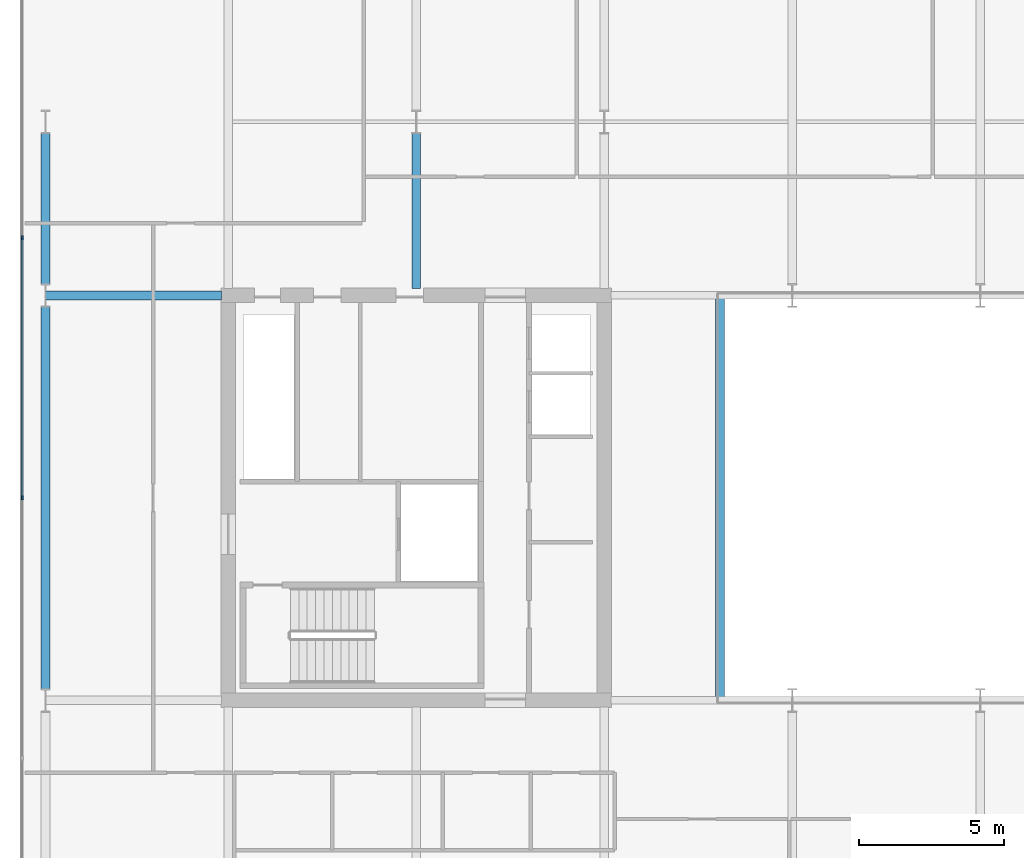
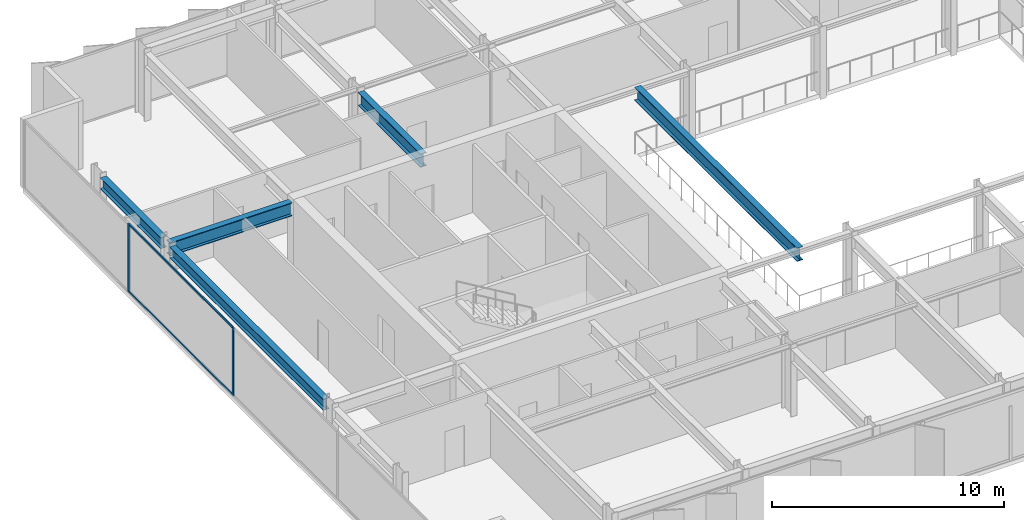
# One storey, part 5 of 24: 5 beams, 4 members, 1 element without a shape of its own.
"""IFC4 building model written with IfcOpenShell, lengths in metres."""

from ifc_helpers import new_model, si_unit, direction, frame, origin, origin_2d, place, context, subcontext, project, spatial, rectangle, i_section, extrude, material, layer, layer_set, material_profile, profile_set, type_object, element, aggregate, save


model = new_model("IFC4")

# Units and contexts
model_context = context("Model", 3, precision=1e-05, world=origin(), true_north=direction((0.0, 1.0)))
body_context = subcontext(model_context, "Body", "Model", "MODEL_VIEW")
ifc_project = project(units=[si_unit("LENGTHUNIT", "METRE"), si_unit("AREAUNIT", "SQUARE_METRE"), si_unit("VOLUMEUNIT", "CUBIC_METRE"), si_unit("PLANEANGLEUNIT", "RADIAN"), si_unit("MASSUNIT", "GRAM", prefix="KILO")], contexts=[model_context])

# Site, building, storey
site_placement = place(None, origin())
site = spatial("IfcSite", under=ifc_project, at=site_placement, CompositionType="ELEMENT")
building_placement = place(site_placement, origin())
building = spatial("IfcBuilding", under=site, at=building_placement, Name="Putna Gate Headquarters", CompositionType="ELEMENT")
storey_placement = place(building_placement, frame((0.0, 0.0, 244.199951171875)))
storey = spatial("IfcBuildingStorey", under=building, at=storey_placement, Name="L61", CompositionType="ELEMENT", Elevation=244.199951171875)

# Beams
ifc_material_1 = material(Name="Steel S355J2", Category="steel")
ifc_material_profile_1 = material_profile(ifc_material_1, i_section(OverallWidth=0.300048828125, OverallDepth=0.699951171875, WebThickness=0.01708984375, FlangeThickness=0.031982421875, at=origin_2d()), Name="Steel S355J2")
ifc_profile_set_1 = profile_set([ifc_material_profile_1], Name="Steel S355J2")
beam_type_1 = type_object("IfcBeamType", Name="BM-GIRD-B-HEB700", PredefinedType="USERDEFINED", material=ifc_profile_set_1)
beam_1_placement = place(storey_placement, frame((6.68603515625, 33.0, 3.22998046875), z_axis=(1.0, 0.0, 0.0), x_axis=(0.0, 1.0, 0.0)))
element("IfcBeam", 1, at=beam_1_placement, inside=storey, type_object=beam_type_1, Name="L61 West Wing Girder Y33", ObjectType="GIRDER", PredefinedType="USERDEFINED", context=body_context, shape_type="SweptSolid", body=[
    extrude(i_section(OverallWidth=0.300048828125, OverallDepth=0.699951171875, WebThickness=0.01708984375, FlangeThickness=0.031982421875, at=origin_2d()), origin(), (0.0, 0.0, 1.0), 6.078857421875),
])
beam_2_placement = place(storey_placement, frame((19.5, 33.235107421875, 3.22998046875), z_axis=(0.0, 1.0, 0.0), x_axis=(-1.0, 0.0, 0.0)))
element("IfcBeam", 2, at=beam_2_placement, inside=storey, type_object=beam_type_1, Name="L61 North Primary Girder X19-1", ObjectType="GIRDER", PredefinedType="USERDEFINED", context=body_context, shape_type="SweptSolid", body=[
    extrude(i_section(OverallWidth=0.300048828125, OverallDepth=0.699951171875, WebThickness=0.01708984375, FlangeThickness=0.031982421875, at=origin_2d()), origin(), (0.0, 0.0, 1.0), 5.369873046875),
])
beam_3_placement = place(storey_placement, frame((30.0, 19.010009765625, 3.22998046875), z_axis=(0.0, 1.0, 0.0), x_axis=(-1.0, 0.0, 0.0)))
element("IfcBeam", 3, at=beam_3_placement, inside=storey, type_object=beam_type_1, Name="L61 Atrium Trim Girder AW", ObjectType="GIRDER", PredefinedType="USERDEFINED", context=body_context, shape_type="SweptSolid", body=[
    extrude(i_section(OverallWidth=0.300048828125, OverallDepth=0.699951171875, WebThickness=0.01708984375, FlangeThickness=0.031982421875, at=origin_2d()), origin(), (0.0, 0.0, 1.0), 13.97998046875),
])
ifc_material_profile_2 = material_profile(ifc_material_1, i_section(OverallWidth=0.300048828125, OverallDepth=0.590087890625, WebThickness=0.012939453125, FlangeThickness=0.02490234375, at=origin_2d()), Name="Steel S355J2")
ifc_profile_set_2 = profile_set([ifc_material_profile_2], Name="Steel S355J2")
beam_type_2 = type_object("IfcBeamType", Name="BM-SPAN-Z4-HEA600", PredefinedType="SPANDREL", material=ifc_profile_set_2)
beam_4_placement = place(storey_placement, frame((6.679931640625, 19.39501953125, 3.28515625), z_axis=(0.0, 1.0, 0.0), x_axis=(-1.0, 0.0, 0.0)))
element("IfcBeam", 4, at=beam_4_placement, inside=storey, type_object=beam_type_2, Name="L61 W End Spandrel 2", PredefinedType="SPANDREL", context=body_context, shape_type="SweptSolid", body=[
    extrude(i_section(OverallWidth=0.300048828125, OverallDepth=0.590087890625, WebThickness=0.012939453125, FlangeThickness=0.02490234375, at=origin_2d()), origin(), (0.0, 0.0, 1.0), 13.2099609375),
])
beam_5_placement = place(storey_placement, frame((6.679931640625, 33.39501953125, 3.28515625), z_axis=(0.0, 1.0, 0.0), x_axis=(-1.0, 0.0, 0.0)))
element("IfcBeam", 5, at=beam_5_placement, inside=storey, type_object=beam_type_2, Name="L61 W End Spandrel 3", PredefinedType="SPANDREL", context=body_context, shape_type="SweptSolid", body=[
    extrude(i_section(OverallWidth=0.300048828125, OverallDepth=0.590087890625, WebThickness=0.012939453125, FlangeThickness=0.02490234375, at=origin_2d()), origin(), (0.0, 0.0, 1.0), 5.2099609375),
])

# Curtain wall, members
ifc_material_2 = material(Name="Anodised bronze aluminium curtain wall", Category="aluminium")
ifc_layer = layer(ifc_material_2, 0.139892578125)
ifc_layer_set = layer_set([ifc_layer], Name="Anodised bronze aluminium curtain wall")
curtain_wall_type = type_object("IfcCurtainWallType", Name="CW-SYS-Z4", PredefinedType="USERDEFINED", material=ifc_layer_set)
curtain_wall_placement = place(storey_placement, origin())
curtain_wall = element("IfcCurtainWall", 6, at=curtain_wall_placement, inside=storey, type_object=curtain_wall_type, Name="L61 West Curtain Wall", ObjectType="STICK CURTAIN WALL", PredefinedType="USERDEFINED")
ifc_material_3 = material(Name="Anodised bronze aluminium EN AW-6060", Category="aluminium")
ifc_material_profile_3 = material_profile(ifc_material_3, rectangle(XDim=0.06005859375, YDim=0.139892578125, at=origin_2d()), Name="Anodised bronze aluminium EN AW-6060")
ifc_profile_set_3 = profile_set([ifc_material_profile_3], Name="Anodised bronze aluminium EN AW-6060")
member_type_1 = type_object("IfcMemberType", Name="MULL-CWM-4", PredefinedType="MULLION", material=ifc_profile_set_3)
member_1_placement = place(storey_placement, frame((5.8798828125, 26.0, 0.0), z_axis=(0.0, 0.0, 1.0), x_axis=(-1.0, 0.0, 0.0)))
member_1 = element("IfcMember", 7, at=member_1_placement, type_object=member_type_1, Name="CWS-4 mullion 3", PredefinedType="MULLION", context=body_context, shape_type="SweptSolid", body=[
    extrude(rectangle(XDim=0.06005859375, YDim=0.139892578125, at=origin_2d()), origin(), (0.0, 0.0, 1.0), 3.580078125),
])
member_2_placement = place(storey_placement, frame((5.8798828125, 35.0, 0.0), z_axis=(0.0, 0.0, 1.0), x_axis=(-1.0, 0.0, 0.0)))
member_2 = element("IfcMember", 8, at=member_2_placement, type_object=member_type_1, Name="CWS-4 mullion 4", PredefinedType="MULLION", context=body_context, shape_type="SweptSolid", body=[
    extrude(rectangle(XDim=0.06005859375, YDim=0.139892578125, at=origin_2d()), origin(), (0.0, 0.0, 1.0), 3.580078125),
])
ifc_material_profile_4 = material_profile(ifc_material_3, rectangle(XDim=0.06005859375, YDim=0.10009765625, at=origin_2d()), Name="Anodised bronze aluminium EN AW-6060")
ifc_profile_set_4 = profile_set([ifc_material_profile_4], Name="Anodised bronze aluminium EN AW-6060")
member_type_2 = type_object("IfcMemberType", Name="TRAN-CWT-4", PredefinedType="USERDEFINED", material=ifc_profile_set_4)
member_3_placement = place(storey_placement, frame((5.8798828125, 26.030029296875, 0.030029296875), z_axis=(0.0, 1.0, 0.0), x_axis=(-1.0, 0.0, 0.0)))
member_3 = element("IfcMember", 9, at=member_3_placement, type_object=member_type_2, Name="CWS-4 transom 3.1", ObjectType="TRANSOM", PredefinedType="USERDEFINED", context=body_context, shape_type="SweptSolid", body=[
    extrude(rectangle(XDim=0.06005859375, YDim=0.10009765625, at=origin_2d()), origin(), (0.0, 0.0, 1.0), 8.93994140625),
])
member_4_placement = place(storey_placement, frame((5.8798828125, 26.030029296875, 3.550048828125), z_axis=(0.0, 1.0, 0.0), x_axis=(-1.0, 0.0, 0.0)))
member_4 = element("IfcMember", 10, at=member_4_placement, type_object=member_type_2, Name="CWS-4 transom 3.2", ObjectType="TRANSOM", PredefinedType="USERDEFINED", context=body_context, shape_type="SweptSolid", body=[
    extrude(rectangle(XDim=0.06005859375, YDim=0.10009765625, at=origin_2d()), origin(), (0.0, 0.0, 1.0), 8.93994140625),
])
aggregate(curtain_wall, [member_1, member_2, member_3, member_4])

save(model, "model.ifc")
